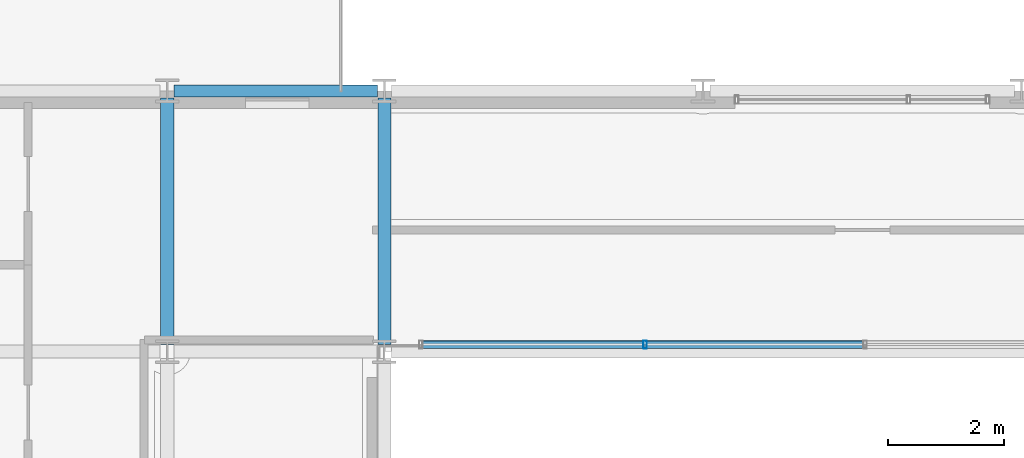
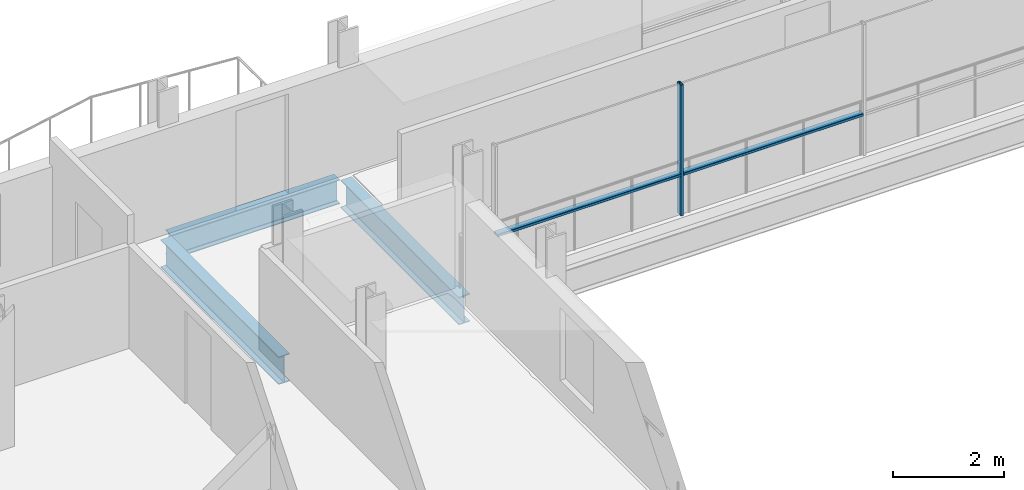
# One storey, part 11 of 39: 3 beams, 3 members, 1 element without a shape of its own.
"""IFC4 building model written with IfcOpenShell, lengths in metres."""

from ifc_helpers import new_model, si_unit, direction, frame, origin, origin_2d, place, context, subcontext, project, spatial, hollow_rectangle, i_section, extrude, material, layer, layer_set, material_profile, profile_set, type_object, element, aggregate, save


model = new_model("IFC4")

# Units and contexts
model_context = context("Model", 3, precision=1e-05, world=origin(), true_north=direction((0.0, 1.0)))
body_context = subcontext(model_context, "Body", "Model", "MODEL_VIEW")
ifc_project = project(units=[si_unit("LENGTHUNIT", "METRE"), si_unit("AREAUNIT", "SQUARE_METRE"), si_unit("VOLUMEUNIT", "CUBIC_METRE"), si_unit("PLANEANGLEUNIT", "RADIAN"), si_unit("MASSUNIT", "GRAM", prefix="KILO")], contexts=[model_context])

# Site, building, storey
site_placement = place(None, origin())
site = spatial("IfcSite", under=ifc_project, at=site_placement, CompositionType="ELEMENT")
building_placement = place(site_placement, origin())
building = spatial("IfcBuilding", under=site, at=building_placement, Name="Brevholm Reach", CompositionType="ELEMENT")
storey_placement = place(building_placement, frame((0.0, 0.0, 154.199951171875)))
storey = spatial("IfcBuildingStorey", under=building, at=storey_placement, Name="L46", CompositionType="ELEMENT", Elevation=154.199951171875)

# Beams
ifc_material_1 = material(Name="Structural Steel S355J2", Category="steel")
ifc_material_profile_1 = material_profile(ifc_material_1, i_section(OverallWidth=0.209228515625, OverallDepth=0.533203125, WebThickness=0.010009765625, FlangeThickness=0.015625, FilletRadius=0.0126953125, at=origin_2d()), Name="UKB 533x210x92")
ifc_profile_set_1 = profile_set([ifc_material_profile_1], Name="Structural Steel S355J2")
beam_type_1 = type_object("IfcBeamType", Name="BM-SP533", PredefinedType="SPANDREL", material=ifc_profile_set_1)
beam_placement = place(storey_placement, frame((18.1201171875, 31.0, -0.486572265625), z_axis=(1.0, 0.0, 0.0), x_axis=(0.0, 1.0, 0.0)))
element("IfcBeam", 1, at=beam_placement, inside=storey, type_object=beam_type_1, Name="L46 SP-02 Framing Beam", PredefinedType="SPANDREL", context=body_context, shape_type="SweptSolid", body=[
    extrude(i_section(OverallWidth=0.209228515625, OverallDepth=0.533203125, WebThickness=0.010009765625, FlangeThickness=0.015625, FilletRadius=0.0126953125, at=origin_2d()), origin(), (0.0, 0.0, 1.0), 3.509765625),
])
ifc_material_2 = material(Name="Structural Steel S355J2", Category="steel")
ifc_material_profile_2 = material_profile(ifc_material_2, i_section(OverallWidth=0.22900390625, OverallDepth=0.6123046875, WebThickness=0.011962890625, FlangeThickness=0.01953125, FilletRadius=0.0126953125, at=origin_2d()), Name="UKB 610x229x125")
ifc_profile_set_2 = profile_set([ifc_material_profile_2], Name="Structural Steel S355J2")
beam_type_2 = type_object("IfcBeamType", Name="BM-SP610", PredefinedType="SPANDREL", material=ifc_profile_set_2)
for number, where, z_axis, x_axis, name in (
    (2, (18.0, 26.6201171875, -0.526123046875), (0.0, 1.0, 0.0), (-1.0, 0.0, 0.0), "L46 SP-01 Framing Beam"),
    (3, (21.75, 26.6201171875, -0.526123046875), (0.0, 1.0, 0.0), (-1.0, 0.0, 0.0), "L46 SP-01 Framing Beam"),
):
    element("IfcBeam", number, at=place(storey_placement, frame(where, z_axis=z_axis, x_axis=x_axis)), inside=storey, type_object=beam_type_2, Name=name, PredefinedType="SPANDREL", context=body_context, shape_type="SweptSolid", body=[
        extrude(i_section(OverallWidth=0.22900390625, OverallDepth=0.6123046875, WebThickness=0.011962890625, FlangeThickness=0.01953125, FilletRadius=0.0126953125, at=origin_2d()), origin(), (0.0, 0.0, 1.0), 4.259765625),
    ])

# Curtain wall, members
ifc_material_3 = material(Name="Dark Anodised Aluminium 6063-T6 and Solar-Control Glass", Category="aluminium")
ifc_layer = layer(ifc_material_3, 0.139892578125)
ifc_layer_set = layer_set([ifc_layer], Name="Dark Anodised Aluminium 6063-T6 and Solar-Control Glass")
curtain_wall_type = type_object("IfcCurtainWallType", Name="CW-02", PredefinedType="NOTDEFINED", material=ifc_layer_set)
curtain_wall_placement = place(storey_placement, origin())
curtain_wall = element("IfcCurtainWall", 4, at=curtain_wall_placement, inside=storey, type_object=curtain_wall_type, Name="L46 Curtain Wall CW-02", PredefinedType="NOTDEFINED")
ifc_material_4 = material(Name="Dark Anodised Aluminium 6063-T6", Category="aluminium")
ifc_material_profile_3 = material_profile(ifc_material_4, hollow_rectangle(XDim=0.06005859375, YDim=0.139892578125, WallThickness=0.0048828125, InnerFilletRadius=0.0048828125, OuterFilletRadius=0.010009765625, at=origin_2d()), Name="RHS 140x60x5")
ifc_profile_set_3 = profile_set([ifc_material_profile_3], Name="Dark Anodised Aluminium 6063-T6")
member_type_1 = type_object("IfcMemberType", Name="CWM-140", PredefinedType="MULLION", material=ifc_profile_set_3)
member_1_placement = place(storey_placement, frame((26.25, 26.6201171875, 0.0), z_axis=(0.0, 0.0, 1.0), x_axis=(-1.0, 0.0, 0.0)))
member_1 = element("IfcMember", 5, at=member_1_placement, type_object=member_type_1, Name="CM-140 Mullion 4", PredefinedType="MULLION", context=body_context, shape_type="SweptSolid", body=[
    extrude(hollow_rectangle(XDim=0.06005859375, YDim=0.139892578125, WallThickness=0.0048828125, InnerFilletRadius=0.0048828125, OuterFilletRadius=0.010009765625, at=origin_2d()), origin(), (0.0, 0.0, 1.0), 2.880126953125),
])
ifc_material_5 = material(Name="Dark Anodised Aluminium 6063-T6", Category="aluminium")
ifc_material_profile_4 = material_profile(ifc_material_5, hollow_rectangle(XDim=0.06005859375, YDim=0.139892578125, WallThickness=0.0048828125, InnerFilletRadius=0.0048828125, OuterFilletRadius=0.010009765625, at=origin_2d()), Name="RHS 140x60x5")
ifc_profile_set_4 = profile_set([ifc_material_profile_4], Name="Dark Anodised Aluminium 6063-T6")
member_type_2 = type_object("IfcMemberType", Name="CWT-140", PredefinedType="NOTDEFINED", material=ifc_profile_set_4)
member_2_placement = place(storey_placement, frame((30.02001953125, 26.6201171875, 0.900146484375), z_axis=(-1.0, 0.0, 0.0), x_axis=(0.0, 0.0, 1.0)))
member_2 = element("IfcMember", 6, at=member_2_placement, type_object=member_type_2, Name="CT-140 Transom 3.1", ObjectType="TRANSOM", PredefinedType="USERDEFINED", context=body_context, shape_type="SweptSolid", body=[
    extrude(hollow_rectangle(XDim=0.06005859375, YDim=0.139892578125, WallThickness=0.0048828125, InnerFilletRadius=0.0048828125, OuterFilletRadius=0.010009765625, at=origin_2d()), origin(), (0.0, 0.0, 1.0), 3.739990234375),
])
member_3_placement = place(storey_placement, frame((26.219970703125, 26.6201171875, 0.900146484375), z_axis=(-1.0, 0.0, 0.0), x_axis=(0.0, 0.0, 1.0)))
member_3 = element("IfcMember", 7, at=member_3_placement, type_object=member_type_2, Name="CT-140 Transom 4.1", ObjectType="TRANSOM", PredefinedType="USERDEFINED", context=body_context, shape_type="SweptSolid", body=[
    extrude(hollow_rectangle(XDim=0.06005859375, YDim=0.139892578125, WallThickness=0.0048828125, InnerFilletRadius=0.0048828125, OuterFilletRadius=0.010009765625, at=origin_2d()), origin(), (0.0, 0.0, 1.0), 3.81005859375),
])
aggregate(curtain_wall, [member_1, member_2, member_3])

save(model, "model.ifc")
